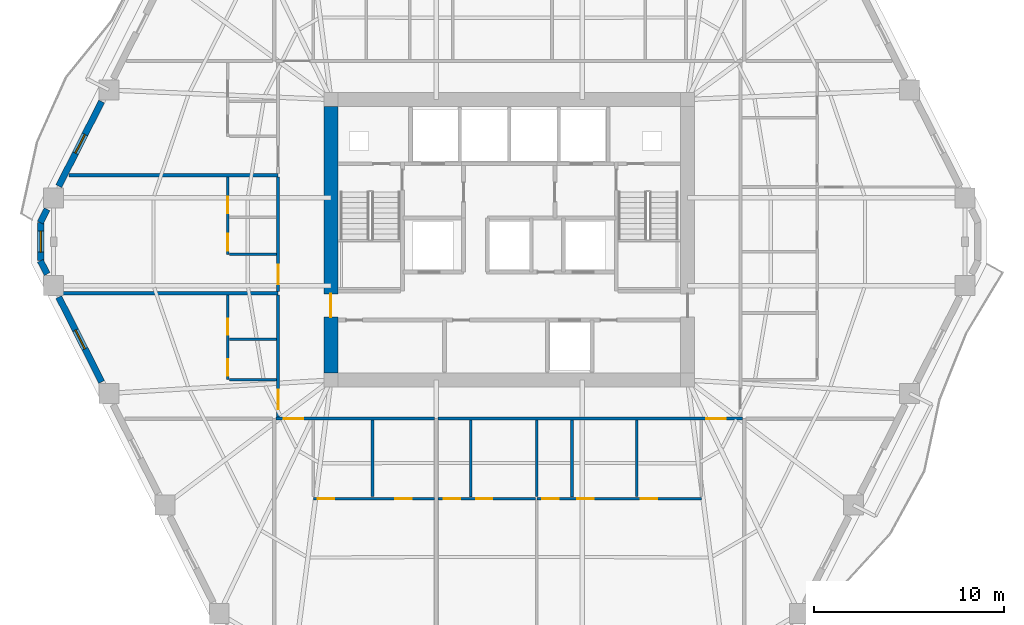
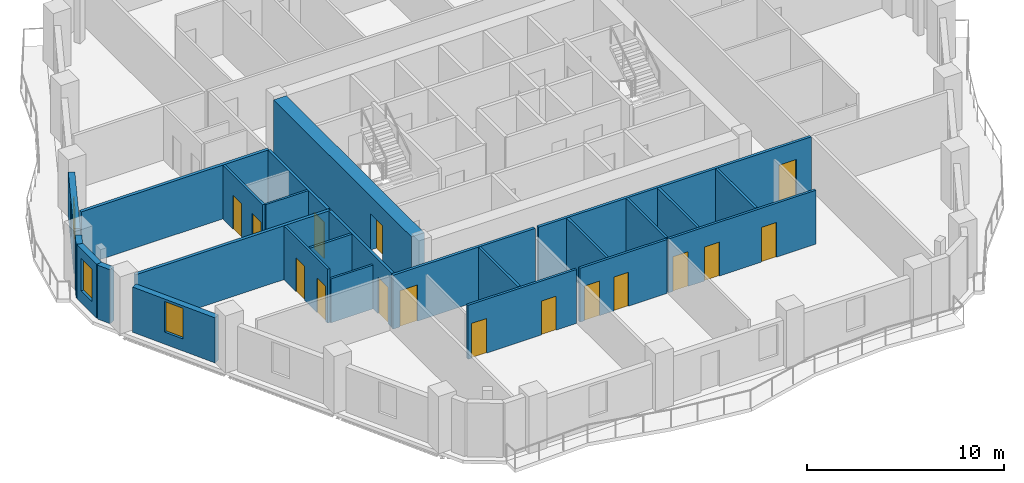
# One storey, part 4 of 10: 25 walls, 16 doors, 3 windows, 19 openings.
"""IFC4 building model written with IfcOpenShell, lengths in metres."""

from ifc_helpers import new_model, si_unit, direction, frame, frame_2d, origin, place, context, subcontext, project, spatial, rectangle, extrude, material, layer, layer_set, type_object, element, fill, save


model = new_model("IFC4")

# Units and contexts
model_context = context("Model", 3, precision=1e-05, world=origin(), true_north=direction((0.0, 1.0)))
body_context = subcontext(model_context, "Body", "Model", "MODEL_VIEW")
ifc_project = project(units=[si_unit("LENGTHUNIT", "METRE"), si_unit("AREAUNIT", "SQUARE_METRE"), si_unit("VOLUMEUNIT", "CUBIC_METRE"), si_unit("PLANEANGLEUNIT", "RADIAN"), si_unit("MASSUNIT", "GRAM", prefix="KILO")], contexts=[model_context])

# Site, building, storey
site_placement = place(None, origin())
site = spatial("IfcSite", under=ifc_project, at=site_placement, CompositionType="ELEMENT")
building_placement = place(site_placement, origin())
building = spatial("IfcBuilding", under=site, at=building_placement, Name="Cinnabar Lancet Tower", CompositionType="ELEMENT")
storey_placement = place(building_placement, frame((0.0, 0.0, 116.14990234375)))
storey = spatial("IfcBuildingStorey", under=building, at=storey_placement, Name="L30", CompositionType="ELEMENT", Elevation=116.14990234375)

# Wall, opening, door
ifc_material_1 = material(Name="Acoustic twin-stud gypsum partition", Category="gypsum")
ifc_layer_1 = layer(ifc_material_1, 0.159912109375)
ifc_layer_set_1 = layer_set([ifc_layer_1], Name="Acoustic twin-stud gypsum partition")
wall_type_1 = type_object("IfcWallType", Name="ARC-WL-CORR-160", PredefinedType="PARTITIONING", material=ifc_layer_set_1)
wall_1_placement = place(storey_placement, frame((20.14501953125, 16.5, 0.0), z_axis=(0.0, 0.0, 1.0), x_axis=(1.0, 0.0, 0.0)))
wall_1 = element("IfcWall", 1, at=wall_1_placement, inside=storey, type_object=wall_type_1, Name="L30 Unit S01 Corridor Wall", PredefinedType="PARTITIONING", context=body_context, shape_type="SweptSolid", body=[
    extrude(rectangle(XDim=8.327880859375, YDim=0.159912109375, at=frame_2d((4.1640625, 0.0))), origin(), (0.0, 0.0, 1.0), 3.340087890625),
])
opening_1_placement = place(wall_1_placement, frame((0.405029296875, 0.0, 0.0)))
opening_1 = element("IfcOpeningElement", 2, at=opening_1_placement, cuts=wall_1, Name="Opening UD-01", PredefinedType="OPENING", context=body_context, shape_type="SweptSolid", body=[
    extrude(rectangle(XDim=1.02001953125, YDim=2.25, at=frame_2d((0.510009765625, 1.125))), frame((0.0, 0.08984375, 0.0), z_axis=(0.0, -1.0, 0.0), x_axis=(1.0, 0.0, 0.0)), (0.0, 0.0, 1.0), 0.179931640625),
])
ifc_material_2 = material(Name="Solid timber fire-rated apartment entrance door", Category="wood")
door_type_1 = type_object("IfcDoorType", Name="ARC-DR-UNIT", OperationType="NOTDEFINED", PredefinedType="DOOR", material=ifc_material_2)
door_1_placement = place(opening_1_placement, origin())
door_1 = element("IfcDoor", 3, at=door_1_placement, inside=storey, type_object=door_type_1, Name="DR-L30-S01-ENT", OperationType="SINGLE_SWING_RIGHT", OverallHeight=2.25, OverallWidth=1.02001953125, PredefinedType="DOOR", context=body_context, shape_type="SweptSolid", body=[
    extrude(rectangle(XDim=1.02001953125, YDim=2.25, at=frame_2d((0.510009765625, 1.125))), frame((0.0, 0.02490234375, 0.0), z_axis=(0.0, -1.0, 0.0), x_axis=(1.0, 0.0, 0.0)), (0.0, 0.0, 1.0), 0.050048828125),
])
fill(opening_1, door_1)

wall_2_placement = place(storey_placement, frame((28.6630859375, 16.5, 0.0), z_axis=(0.0, 0.0, 1.0), x_axis=(1.0, 0.0, 0.0)))
wall_2 = element("IfcWall", 4, at=wall_2_placement, inside=storey, type_object=wall_type_1, Name="L30 Unit S02 Corridor Wall", PredefinedType="PARTITIONING", context=body_context, shape_type="SweptSolid", body=[
    extrude(rectangle(XDim=15.991943359375, YDim=0.159912109375, at=frame_2d((7.99609375, 0.0))), origin(), (0.0, 0.0, 1.0), 3.340087890625),
])
opening_2_placement = place(wall_2_placement, frame((14.0869140625, 0.0, 0.0)))
opening_2 = element("IfcOpeningElement", 5, at=opening_2_placement, cuts=wall_2, Name="Opening UD-01", PredefinedType="OPENING", context=body_context, shape_type="SweptSolid", body=[
    extrude(rectangle(XDim=1.02001953125, YDim=2.25, at=frame_2d((0.510009765625, 1.125))), frame((0.0, 0.08984375, 0.0), z_axis=(0.0, -1.0, 0.0), x_axis=(1.0, 0.0, 0.0)), (0.0, 0.0, 1.0), 0.179931640625),
])
door_2_placement = place(opening_2_placement, origin())
door_2 = element("IfcDoor", 6, at=door_2_placement, inside=storey, type_object=door_type_1, Name="DR-L30-S02-ENT", OperationType="SINGLE_SWING_LEFT", OverallHeight=2.25, OverallWidth=1.02001953125, PredefinedType="DOOR", context=body_context, shape_type="SweptSolid", body=[
    extrude(rectangle(XDim=1.02001953125, YDim=2.25, at=frame_2d((0.510009765625, 1.125))), frame((0.0, 0.02490234375, 0.0), z_axis=(0.0, -1.0, 0.0), x_axis=(1.0, 0.0, 0.0)), (0.0, 0.0, 1.0), 0.050048828125),
])
fill(opening_2, door_2)

wall_3_placement = place(storey_placement, frame((20.25, 16.594970703125, 0.0), z_axis=(0.0, 0.0, 1.0), x_axis=(0.0, 1.0, 0.0)))
wall_3 = element("IfcWall", 7, at=wall_3_placement, inside=storey, type_object=wall_type_1, Name="UW-L30-W01-COR", PredefinedType="PARTITIONING", context=body_context, shape_type="SweptSolid", body=[
    extrude(rectangle(XDim=6.39013671875, YDim=0.159912109375, at=frame_2d((3.195068359375, 0.0))), origin(), (0.0, 0.0, 1.0), 3.340087890625),
])
opening_3_placement = place(wall_3_placement, frame((0.39990234375, 0.0, 0.0)))
opening_3 = element("IfcOpeningElement", 8, at=opening_3_placement, cuts=wall_3, Name="Opening UD-01", PredefinedType="OPENING", context=body_context, shape_type="SweptSolid", body=[
    extrude(rectangle(XDim=1.02001953125, YDim=2.25, at=frame_2d((0.510009765625, 1.125))), frame((0.0, 0.08984375, 0.0), z_axis=(0.0, -1.0, 0.0), x_axis=(1.0, 0.0, 0.0)), (0.0, 0.0, 1.0), 0.179931640625),
])
door_3_placement = place(opening_3_placement, origin())
door_3 = element("IfcDoor", 9, at=door_3_placement, inside=storey, type_object=door_type_1, Name="DR-L30-W01-ENT", OperationType="SINGLE_SWING_RIGHT", OverallHeight=2.25, OverallWidth=1.02001953125, PredefinedType="DOOR", context=body_context, shape_type="SweptSolid", body=[
    extrude(rectangle(XDim=1.02001953125, YDim=2.25, at=frame_2d((0.510009765625, 1.125))), frame((0.0, 0.02490234375, 0.0), z_axis=(0.0, -1.0, 0.0), x_axis=(1.0, 0.0, 0.0)), (0.0, 0.0, 1.0), 0.050048828125),
])
fill(opening_3, door_3)

wall_4_placement = place(storey_placement, frame((20.25, 23.175048828125, 0.0), z_axis=(0.0, 0.0, 1.0), x_axis=(0.0, 1.0, 0.0)))
wall_4 = element("IfcWall", 10, at=wall_4_placement, inside=storey, type_object=wall_type_1, Name="UW-L30-W02-COR", PredefinedType="PARTITIONING", context=body_context, shape_type="SweptSolid", body=[
    extrude(rectangle(XDim=6.013916015625, YDim=0.159912109375, at=frame_2d((3.0068359375, 0.0))), origin(), (0.0, 0.0, 1.0), 3.340087890625),
])
opening_4_placement = place(wall_4_placement, frame((0.39990234375, 0.0, 0.0)))
opening_4 = element("IfcOpeningElement", 11, at=opening_4_placement, cuts=wall_4, Name="Opening UD-01", PredefinedType="OPENING", context=body_context, shape_type="SweptSolid", body=[
    extrude(rectangle(XDim=1.02001953125, YDim=2.25, at=frame_2d((0.510009765625, 1.125))), frame((0.0, 0.08984375, 0.0), z_axis=(0.0, -1.0, 0.0), x_axis=(1.0, 0.0, 0.0)), (0.0, 0.0, 1.0), 0.179931640625),
])
door_4_placement = place(opening_4_placement, origin())
door_4 = element("IfcDoor", 12, at=door_4_placement, inside=storey, type_object=door_type_1, Name="DR-L30-W02-ENT", OperationType="SINGLE_SWING_LEFT", OverallHeight=2.25, OverallWidth=1.02001953125, PredefinedType="DOOR", context=body_context, shape_type="SweptSolid", body=[
    extrude(rectangle(XDim=1.02001953125, YDim=2.25, at=frame_2d((0.510009765625, 1.125))), frame((0.0, 0.02490234375, 0.0), z_axis=(0.0, -1.0, 0.0), x_axis=(1.0, 0.0, 0.0)), (0.0, 0.0, 1.0), 0.050048828125),
])
fill(opening_4, door_4)

# Walls
ifc_material_3 = material(Name="Fire-rated twin-frame acoustic drywall", Category="gypsum")
ifc_layer_2 = layer(ifc_material_3, 0.179931640625)
ifc_layer_set_2 = layer_set([ifc_layer_2], Name="Fire-rated twin-frame acoustic drywall")
wall_type_2 = type_object("IfcWallType", Name="ARC-WL-PARTY-180", PredefinedType="PARTITIONING", material=ifc_layer_set_2)
wall_5_placement = place(storey_placement, frame((8.85595703125, 23.080078125, 0.0), z_axis=(0.0, 0.0, 1.0), x_axis=(1.0, 0.0, 0.0)))
element("IfcWall", 13, at=wall_5_placement, inside=storey, type_object=wall_type_2, Name="PW-L30-WPTY-1", PredefinedType="PARTITIONING", context=body_context, shape_type="SweptSolid", body=[
    extrude(rectangle(XDim=11.39404296875, YDim=0.179931640625, at=frame_2d((5.697021484375, 0.0))), origin(), (0.0, 0.0, 1.0), 3.340087890625),
])
wall_6_placement = place(storey_placement, frame((9.241943359375, 29.283935546875, 0.0), z_axis=(0.0, 0.0, 1.0), x_axis=(1.0, 0.0, 0.0)))
element("IfcWall", 14, at=wall_6_placement, inside=storey, type_object=wall_type_2, Name="PW-L30-WPTY-2", PredefinedType="PARTITIONING", context=body_context, shape_type="SweptSolid", body=[
    extrude(rectangle(XDim=11.008056640625, YDim=0.179931640625, at=frame_2d((5.50390625, 0.0))), origin(), (0.0, 0.0, 1.0), 3.340087890625),
])
ifc_material_4 = material(Name="Gypsum plasterboard stud partition", Category="gypsum")
ifc_layer_3 = layer(ifc_material_4, 0.125)
ifc_layer_set_3 = layer_set([ifc_layer_3], Name="Gypsum plasterboard stud partition")
wall_type_3 = type_object("IfcWallType", Name="ARC-WL-UNIT-125", PredefinedType="PARTITIONING", material=ifc_layer_set_3)
wall_7_placement = place(storey_placement, frame((17.68505859375, 18.550048828125, 0.0), z_axis=(0.0, 0.0, 1.0), x_axis=(1.0, 0.0, 0.0)))
element("IfcWall", 15, at=wall_7_placement, inside=storey, type_object=wall_type_3, Name="UW-L30-W01-FOYN", PredefinedType="PARTITIONING", context=body_context, shape_type="SweptSolid", body=[
    extrude(rectangle(XDim=2.47998046875, YDim=0.125, at=frame_2d((1.239990234375, 0.0))), origin(), (0.0, 0.0, 1.0), 2.72216796875),
])
wall_8_placement = place(storey_placement, frame((17.68505859375, 25.1298828125, 0.0), z_axis=(0.0, 0.0, 1.0), x_axis=(1.0, 0.0, 0.0)))
element("IfcWall", 16, at=wall_8_placement, inside=storey, type_object=wall_type_3, Name="UW-L30-W02-FOYN", PredefinedType="PARTITIONING", context=body_context, shape_type="SweptSolid", body=[
    extrude(rectangle(XDim=2.47998046875, YDim=0.125, at=frame_2d((1.239990234375, 0.0))), origin(), (0.0, 0.0, 1.0), 3.340087890625),
])

# Wall, openings, doors
ifc_material_5 = material(Name="Moisture-resistant cement-board plumbing wall", Category="masonry")
ifc_layer_4 = layer(ifc_material_5, 0.139892578125)
ifc_layer_set_4 = layer_set([ifc_layer_4], Name="Moisture-resistant cement-board plumbing wall")
wall_type_4 = type_object("IfcWallType", Name="ARC-WL-WET-140", PredefinedType="PLUMBINGWALL", material=ifc_layer_set_4)
wall_9_placement = place(storey_placement, frame((22.10009765625, 12.285888671875, 0.0), z_axis=(0.0, 0.0, 1.0), x_axis=(1.0, 0.0, 0.0)))
wall_9 = element("IfcWall", 17, at=wall_9_placement, inside=storey, type_object=wall_type_4, Name="UW-L30-S01-SPL", PredefinedType="PLUMBINGWALL", context=body_context, shape_type="SweptSolid", body=[
    extrude(rectangle(XDim=6.372802734375, YDim=0.139892578125, at=frame_2d((3.1865234375, 0.0))), origin(), (0.0, 0.0, 1.0), 3.340087890625),
])
opening_5_placement = place(wall_9_placement, frame((4.31396484375, 0.0, 0.0)))
opening_5 = element("IfcOpeningElement", 18, at=opening_5_placement, cuts=wall_9, Name="Opening BD-01", PredefinedType="OPENING", context=body_context, shape_type="SweptSolid", body=[
    extrude(rectangle(XDim=0.860107421875, YDim=2.10009765625, at=frame_2d((0.43017578125, 1.050048828125))), frame((0.0, 0.079833984375, 0.0), z_axis=(0.0, -1.0, 0.0), x_axis=(1.0, 0.0, 0.0)), (0.0, 0.0, 1.0), 0.159912109375),
])
opening_6_placement = place(wall_9_placement, frame((0.219970703125, 0.0, 0.0)))
opening_6 = element("IfcOpeningElement", 19, at=opening_6_placement, cuts=wall_9, Name="Opening RD-02", PredefinedType="OPENING", context=body_context, shape_type="SweptSolid", body=[
    extrude(rectangle(XDim=0.8798828125, YDim=2.14990234375, at=frame_2d((0.43994140625, 1.074951171875))), frame((0.0, 0.079833984375, 0.0), z_axis=(0.0, -1.0, 0.0), x_axis=(1.0, 0.0, 0.0)), (0.0, 0.0, 1.0), 0.159912109375),
])
ifc_material_6 = material(Name="Moisture-resistant timber bathroom door", Category="wood")
door_type_2 = type_object("IfcDoorType", Name="ARC-DR-BATH", OperationType="NOTDEFINED", PredefinedType="DOOR", material=ifc_material_6)
door_5_placement = place(opening_5_placement, origin())
door_5 = element("IfcDoor", 20, at=door_5_placement, inside=storey, type_object=door_type_2, Name="DR-L30-S01-BTH", OperationType="SINGLE_SWING_RIGHT", OverallHeight=2.10009765625, OverallWidth=0.860107421875, PredefinedType="DOOR", context=body_context, shape_type="SweptSolid", body=[
    extrude(rectangle(XDim=0.860107421875, YDim=2.10009765625, at=frame_2d((0.43017578125, 1.050048828125))), frame((0.0, 0.02490234375, 0.0), z_axis=(0.0, -1.0, 0.0), x_axis=(1.0, 0.0, 0.0)), (0.0, 0.0, 1.0), 0.050048828125),
])
fill(opening_5, door_5)
ifc_material_7 = material(Name="Engineered timber study door", Category="wood")
door_type_3 = type_object("IfcDoorType", Name="ARC-DR-STUDY", OperationType="NOTDEFINED", PredefinedType="DOOR", material=ifc_material_7)
door_6_placement = place(opening_6_placement, origin())
door_6 = element("IfcDoor", 21, at=door_6_placement, inside=storey, type_object=door_type_3, Name="DR-L30-S01-KIT", OperationType="SINGLE_SWING_LEFT", OverallHeight=2.14990234375, OverallWidth=0.8798828125, PredefinedType="DOOR", context=body_context, shape_type="SweptSolid", body=[
    extrude(rectangle(XDim=0.8798828125, YDim=2.14990234375, at=frame_2d((0.43994140625, 1.074951171875))), frame((0.0, 0.02490234375, 0.0), z_axis=(0.0, -1.0, 0.0), x_axis=(1.0, 0.0, 0.0)), (0.0, 0.0, 1.0), 0.050048828125),
])
fill(opening_6, door_6)

# Wall
wall_10_placement = place(storey_placement, frame((25.205078125, 12.39111328125, 0.0), z_axis=(0.0, 0.0, 1.0), x_axis=(0.0, 1.0, 0.0)))
element("IfcWall", 22, at=wall_10_placement, inside=storey, type_object=wall_type_4, Name="UW-L30-S01-KDV", PredefinedType="PLUMBINGWALL", context=body_context, shape_type="SweptSolid", body=[
    extrude(rectangle(XDim=4.02392578125, YDim=0.139892578125, at=frame_2d((2.011962890625, 0.0))), origin(), (0.0, 0.0, 1.0), 3.340087890625),
])

# Wall, openings, doors
wall_11_placement = place(storey_placement, frame((33.85009765625, 12.285888671875, 0.0), z_axis=(0.0, 0.0, 1.0), x_axis=(1.0, 0.0, 0.0)))
wall_11 = element("IfcWall", 23, at=wall_11_placement, inside=storey, type_object=wall_type_4, Name="UW-L30-S02-SPL", PredefinedType="PLUMBINGWALL", context=body_context, shape_type="SweptSolid", body=[
    extrude(rectangle(XDim=8.64990234375, YDim=0.139892578125, at=frame_2d((4.324951171875, 0.0))), origin(), (0.0, 0.0, 1.0), 3.340087890625),
])
opening_7_placement = place(wall_11_placement, frame((0.280029296875, 0.0, 0.0)))
opening_7 = element("IfcOpeningElement", 24, at=opening_7_placement, cuts=wall_11, Name="Opening RD-02", PredefinedType="OPENING", context=body_context, shape_type="SweptSolid", body=[
    extrude(rectangle(XDim=0.8798828125, YDim=2.14990234375, at=frame_2d((0.43994140625, 1.074951171875))), frame((0.0, 0.079833984375, 0.0), z_axis=(0.0, -1.0, 0.0), x_axis=(1.0, 0.0, 0.0)), (0.0, 0.0, 1.0), 0.159912109375),
])
opening_8_placement = place(wall_11_placement, frame((2.1259765625, 0.0, 0.0)))
opening_8 = element("IfcOpeningElement", 25, at=opening_8_placement, cuts=wall_11, Name="Opening BD-01", PredefinedType="OPENING", context=body_context, shape_type="SweptSolid", body=[
    extrude(rectangle(XDim=0.860107421875, YDim=2.10009765625, at=frame_2d((0.43017578125, 1.050048828125))), frame((0.0, 0.079833984375, 0.0), z_axis=(0.0, -1.0, 0.0), x_axis=(1.0, 0.0, 0.0)), (0.0, 0.0, 1.0), 0.159912109375),
])
opening_9_placement = place(wall_11_placement, frame((5.449951171875, 0.0, 0.0)))
opening_9 = element("IfcOpeningElement", 26, at=opening_9_placement, cuts=wall_11, Name="Opening RD-02", PredefinedType="OPENING", context=body_context, shape_type="SweptSolid", body=[
    extrude(rectangle(XDim=0.8798828125, YDim=2.14990234375, at=frame_2d((0.43994140625, 1.074951171875))), frame((0.0, 0.079833984375, 0.0), z_axis=(0.0, -1.0, 0.0), x_axis=(1.0, 0.0, 0.0)), (0.0, 0.0, 1.0), 0.159912109375),
])
door_7_placement = place(opening_8_placement, origin())
door_7 = element("IfcDoor", 27, at=door_7_placement, inside=storey, type_object=door_type_2, Name="DR-L30-S02-BTH", OperationType="SINGLE_SWING_LEFT", OverallHeight=2.10009765625, OverallWidth=0.860107421875, PredefinedType="DOOR", context=body_context, shape_type="SweptSolid", body=[
    extrude(rectangle(XDim=0.860107421875, YDim=2.10009765625, at=frame_2d((0.43017578125, 1.050048828125))), frame((0.0, 0.02490234375, 0.0), z_axis=(0.0, -1.0, 0.0), x_axis=(1.0, 0.0, 0.0)), (0.0, 0.0, 1.0), 0.050048828125),
])
fill(opening_8, door_7)
door_8_placement = place(opening_7_placement, origin())
door_8 = element("IfcDoor", 28, at=door_8_placement, inside=storey, type_object=door_type_3, Name="DR-L30-S02-BTH-WDR", OperationType="SINGLE_SWING_RIGHT", OverallHeight=2.14990234375, OverallWidth=0.8798828125, PredefinedType="DOOR", context=body_context, shape_type="SweptSolid", body=[
    extrude(rectangle(XDim=0.8798828125, YDim=2.14990234375, at=frame_2d((0.43994140625, 1.074951171875))), frame((0.0, 0.02490234375, 0.0), z_axis=(0.0, -1.0, 0.0), x_axis=(1.0, 0.0, 0.0)), (0.0, 0.0, 1.0), 0.050048828125),
])
fill(opening_7, door_8)
door_9_placement = place(opening_9_placement, origin())
door_9 = element("IfcDoor", 29, at=door_9_placement, inside=storey, type_object=door_type_3, Name="DR-L30-S02-KIT", OperationType="SINGLE_SWING_LEFT", OverallHeight=2.14990234375, OverallWidth=0.8798828125, PredefinedType="DOOR", context=body_context, shape_type="SweptSolid", body=[
    extrude(rectangle(XDim=0.8798828125, YDim=2.14990234375, at=frame_2d((0.43994140625, 1.074951171875))), frame((0.0, 0.02490234375, 0.0), z_axis=(0.0, -1.0, 0.0), x_axis=(1.0, 0.0, 0.0)), (0.0, 0.0, 1.0), 0.050048828125),
])
fill(opening_9, door_9)

wall_12_placement = place(storey_placement, frame((28.6630859375, 12.285888671875, 0.0), z_axis=(0.0, 0.0, 1.0), x_axis=(1.0, 0.0, 0.0)))
wall_12 = element("IfcWall", 30, at=wall_12_placement, inside=storey, type_object=wall_type_4, Name="UW-L30-S02-SPM", PredefinedType="PLUMBINGWALL", context=body_context, shape_type="SweptSolid", body=[
    extrude(rectangle(XDim=5.11181640625, YDim=0.139892578125, at=frame_2d((2.555908203125, 0.0))), origin(), (0.0, 0.0, 1.0), 3.340087890625),
])
opening_10_placement = place(wall_12_placement, frame((0.280029296875, 0.0, 0.0)))
opening_10 = element("IfcOpeningElement", 31, at=opening_10_placement, cuts=wall_12, Name="Opening RD-02", PredefinedType="OPENING", context=body_context, shape_type="SweptSolid", body=[
    extrude(rectangle(XDim=0.8798828125, YDim=2.14990234375, at=frame_2d((0.43994140625, 1.074951171875))), frame((0.0, 0.079833984375, 0.0), z_axis=(0.0, -1.0, 0.0), x_axis=(1.0, 0.0, 0.0)), (0.0, 0.0, 1.0), 0.159912109375),
])
opening_11_placement = place(wall_12_placement, frame((1.988037109375, 0.0, 0.0)))
opening_11 = element("IfcOpeningElement", 32, at=opening_11_placement, cuts=wall_12, Name="Opening BD-01", PredefinedType="OPENING", context=body_context, shape_type="SweptSolid", body=[
    extrude(rectangle(XDim=0.860107421875, YDim=2.10009765625, at=frame_2d((0.43017578125, 1.050048828125))), frame((0.0, 0.079833984375, 0.0), z_axis=(0.0, -1.0, 0.0), x_axis=(1.0, 0.0, 0.0)), (0.0, 0.0, 1.0), 0.159912109375),
])
door_10_placement = place(opening_11_placement, origin())
door_10 = element("IfcDoor", 33, at=door_10_placement, inside=storey, type_object=door_type_2, Name="DR-L30-S02-ENS", OperationType="SINGLE_SWING_RIGHT", OverallHeight=2.10009765625, OverallWidth=0.860107421875, PredefinedType="DOOR", context=body_context, shape_type="SweptSolid", body=[
    extrude(rectangle(XDim=0.860107421875, YDim=2.10009765625, at=frame_2d((0.43017578125, 1.050048828125))), frame((0.0, 0.02490234375, 0.0), z_axis=(0.0, -1.0, 0.0), x_axis=(1.0, 0.0, 0.0)), (0.0, 0.0, 1.0), 0.050048828125),
])
fill(opening_11, door_10)
door_11_placement = place(opening_10_placement, origin())
door_11 = element("IfcDoor", 34, at=door_11_placement, inside=storey, type_object=door_type_3, Name="DR-L30-S02-ENS-WDR", OperationType="SINGLE_SWING_LEFT", OverallHeight=2.14990234375, OverallWidth=0.8798828125, PredefinedType="DOOR", context=body_context, shape_type="SweptSolid", body=[
    extrude(rectangle(XDim=0.8798828125, YDim=2.14990234375, at=frame_2d((0.43994140625, 1.074951171875))), frame((0.0, 0.02490234375, 0.0), z_axis=(0.0, -1.0, 0.0), x_axis=(1.0, 0.0, 0.0)), (0.0, 0.0, 1.0), 0.050048828125),
])
fill(opening_10, door_11)

# Walls
for number, where, z_axis, x_axis, name in (
    (35, (39.10009765625, 12.39111328125, 0.0), (0.0, 0.0, 1.0), (0.0, 1.0, 0.0), "UW-L30-S02-KBD"),
    (36, (33.85009765625, 12.39111328125, 0.0), (0.0, 0.0, 1.0), (0.0, 1.0, 0.0), "UW-L30-S02-ENSW"),
):
    element("IfcWall", number, at=place(storey_placement, frame(where, z_axis=z_axis, x_axis=x_axis)), inside=storey, type_object=wall_type_4, Name=name, PredefinedType="PLUMBINGWALL", context=body_context, shape_type="SweptSolid", body=[
        extrude(rectangle(XDim=4.02392578125, YDim=0.139892578125, at=frame_2d((2.011962890625, 0.0))), origin(), (0.0, 0.0, 1.0), 3.340087890625),
    ])
for number, where, z_axis, x_axis, name in (
    (37, (35.696044921875, 12.37109375, 0.0), (0.0, 0.0, 1.0), (0.0, 1.0, 0.0), "UW-L30-S02-BTH-WDV"),
    (38, (30.37109375, 12.37109375, 0.0), (0.0, 0.0, 1.0), (0.0, 1.0, 0.0), "UW-L30-S02-ENS-WDV"),
):
    element("IfcWall", number, at=place(storey_placement, frame(where, z_axis=z_axis, x_axis=x_axis)), inside=storey, type_object=wall_type_4, Name=name, PredefinedType="PLUMBINGWALL", context=body_context, shape_type="SweptSolid", body=[
        extrude(rectangle(XDim=4.0439453125, YDim=0.139892578125, at=frame_2d((2.02197265625, 0.0))), origin(), (0.0, 0.0, 1.0), 3.340087890625),
    ])

# Wall, openings, doors
wall_13_placement = place(storey_placement, frame((17.60009765625, 18.550048828125, 0.0), z_axis=(0.0, 0.0, 1.0), x_axis=(0.0, 1.0, 0.0)))
wall_13 = element("IfcWall", 39, at=wall_13_placement, inside=storey, type_object=wall_type_4, Name="UW-L30-W01-SPL", PredefinedType="PLUMBINGWALL", context=body_context, shape_type="SweptSolid", body=[
    extrude(rectangle(XDim=4.43505859375, YDim=0.139892578125, at=frame_2d((2.217529296875, 0.0))), origin(), (0.0, 0.0, 1.0), 3.340087890625),
])
opening_12_placement = place(wall_13_placement, frame((2.34912109375, 0.0, 0.0)))
opening_12 = element("IfcOpeningElement", 40, at=opening_12_placement, cuts=wall_13, Name="Opening BD-01", PredefinedType="OPENING", context=body_context, shape_type="SweptSolid", body=[
    extrude(rectangle(XDim=0.860107421875, YDim=2.10009765625, at=frame_2d((0.43017578125, 1.050048828125))), frame((0.0, 0.079833984375, 0.0), z_axis=(0.0, -1.0, 0.0), x_axis=(1.0, 0.0, 0.0)), (0.0, 0.0, 1.0), 0.159912109375),
])
opening_13_placement = place(wall_13_placement, frame((0.199951171875, 0.0, 0.0)))
opening_13 = element("IfcOpeningElement", 41, at=opening_13_placement, cuts=wall_13, Name="Opening RD-02", PredefinedType="OPENING", context=body_context, shape_type="SweptSolid", body=[
    extrude(rectangle(XDim=0.8798828125, YDim=2.14990234375, at=frame_2d((0.43994140625, 1.074951171875))), frame((0.0, 0.079833984375, 0.0), z_axis=(0.0, -1.0, 0.0), x_axis=(1.0, 0.0, 0.0)), (0.0, 0.0, 1.0), 0.159912109375),
])
door_12_placement = place(opening_12_placement, origin())
door_12 = element("IfcDoor", 42, at=door_12_placement, inside=storey, type_object=door_type_2, Name="DR-L30-W01-BTH", OperationType="SINGLE_SWING_RIGHT", OverallHeight=2.10009765625, OverallWidth=0.860107421875, PredefinedType="DOOR", context=body_context, shape_type="SweptSolid", body=[
    extrude(rectangle(XDim=0.860107421875, YDim=2.10009765625, at=frame_2d((0.43017578125, 1.050048828125))), frame((0.0, 0.02490234375, 0.0), z_axis=(0.0, -1.0, 0.0), x_axis=(1.0, 0.0, 0.0)), (0.0, 0.0, 1.0), 0.050048828125),
])
fill(opening_12, door_12)
door_13_placement = place(opening_13_placement, origin())
door_13 = element("IfcDoor", 43, at=door_13_placement, inside=storey, type_object=door_type_3, Name="DR-L30-W01-KIT", OperationType="SINGLE_SWING_LEFT", OverallHeight=2.14990234375, OverallWidth=0.8798828125, PredefinedType="DOOR", context=body_context, shape_type="SweptSolid", body=[
    extrude(rectangle(XDim=0.8798828125, YDim=2.14990234375, at=frame_2d((0.43994140625, 1.074951171875))), frame((0.0, 0.02490234375, 0.0), z_axis=(0.0, -1.0, 0.0), x_axis=(1.0, 0.0, 0.0)), (0.0, 0.0, 1.0), 0.050048828125),
])
fill(opening_13, door_13)

# Wall
wall_14_placement = place(storey_placement, frame((17.68505859375, 20.678955078125, 0.0), z_axis=(0.0, 0.0, 1.0), x_axis=(1.0, 0.0, 0.0)))
element("IfcWall", 44, at=wall_14_placement, inside=storey, type_object=wall_type_4, Name="UW-L30-W01-KDV", PredefinedType="PLUMBINGWALL", context=body_context, shape_type="SweptSolid", body=[
    extrude(rectangle(XDim=2.47998046875, YDim=0.139892578125, at=frame_2d((1.239990234375, 0.0))), origin(), (0.0, 0.0, 1.0), 3.340087890625),
])

# Wall, openings, doors
wall_15_placement = place(storey_placement, frame((17.60009765625, 25.1298828125, 0.0), z_axis=(0.0, 0.0, 1.0), x_axis=(0.0, 1.0, 0.0)))
wall_15 = element("IfcWall", 45, at=wall_15_placement, inside=storey, type_object=wall_type_4, Name="UW-L30-W02-SPL", PredefinedType="PLUMBINGWALL", context=body_context, shape_type="SweptSolid", body=[
    extrude(rectangle(XDim=4.05908203125, YDim=0.139892578125, at=frame_2d((2.029541015625, 0.0))), origin(), (0.0, 0.0, 1.0), 3.340087890625),
])
opening_14_placement = place(wall_15_placement, frame((2.16796875, 0.0, 0.0)))
opening_14 = element("IfcOpeningElement", 46, at=opening_14_placement, cuts=wall_15, Name="Opening BD-01", PredefinedType="OPENING", context=body_context, shape_type="SweptSolid", body=[
    extrude(rectangle(XDim=0.860107421875, YDim=2.10009765625, at=frame_2d((0.43017578125, 1.050048828125))), frame((0.0, 0.079833984375, 0.0), z_axis=(0.0, -1.0, 0.0), x_axis=(1.0, 0.0, 0.0)), (0.0, 0.0, 1.0), 0.159912109375),
])
opening_15_placement = place(wall_15_placement, frame((0.199951171875, 0.0, 0.0)))
opening_15 = element("IfcOpeningElement", 47, at=opening_15_placement, cuts=wall_15, Name="Opening RD-02", PredefinedType="OPENING", context=body_context, shape_type="SweptSolid", body=[
    extrude(rectangle(XDim=0.8798828125, YDim=2.14990234375, at=frame_2d((0.43994140625, 1.074951171875))), frame((0.0, 0.079833984375, 0.0), z_axis=(0.0, -1.0, 0.0), x_axis=(1.0, 0.0, 0.0)), (0.0, 0.0, 1.0), 0.159912109375),
])
door_14_placement = place(opening_14_placement, origin())
door_14 = element("IfcDoor", 48, at=door_14_placement, inside=storey, type_object=door_type_2, Name="DR-L30-W02-BTH", OperationType="SINGLE_SWING_LEFT", OverallHeight=2.10009765625, OverallWidth=0.860107421875, PredefinedType="DOOR", context=body_context, shape_type="SweptSolid", body=[
    extrude(rectangle(XDim=0.860107421875, YDim=2.10009765625, at=frame_2d((0.43017578125, 1.050048828125))), frame((0.0, 0.02490234375, 0.0), z_axis=(0.0, -1.0, 0.0), x_axis=(1.0, 0.0, 0.0)), (0.0, 0.0, 1.0), 0.050048828125),
])
fill(opening_14, door_14)
door_15_placement = place(opening_15_placement, origin())
door_15 = element("IfcDoor", 49, at=door_15_placement, inside=storey, type_object=door_type_3, Name="DR-L30-W02-KIT", OperationType="SINGLE_SWING_RIGHT", OverallHeight=2.14990234375, OverallWidth=0.8798828125, PredefinedType="DOOR", context=body_context, shape_type="SweptSolid", body=[
    extrude(rectangle(XDim=0.8798828125, YDim=2.14990234375, at=frame_2d((0.43994140625, 1.074951171875))), frame((0.0, 0.02490234375, 0.0), z_axis=(0.0, -1.0, 0.0), x_axis=(1.0, 0.0, 0.0)), (0.0, 0.0, 1.0), 0.050048828125),
])
fill(opening_15, door_15)

# Wall, opening, window
ifc_material_8 = material(Name="Cinnabar red clay brick", Category="masonry")
ifc_layer_5 = layer(ifc_material_8, 0.340087890625)
ifc_layer_set_5 = layer_set([ifc_layer_5], Name="Cinnabar red clay brick")
wall_type_5 = type_object("IfcWallType", Name="ENV-WL-BRK-RED-340", PredefinedType="STANDARD", material=ifc_layer_set_5)
wall_16_placement = place(storey_placement, frame((7.76708984375, 26.797119140625, 0.0), z_axis=(0.0, 0.0, 1.0), x_axis=(0.0, -1.0, 0.0)))
wall_16 = element("IfcWall", 50, at=wall_16_placement, inside=storey, type_object=wall_type_5, Name="L30 Chamfered Corner Brick Pier 6.1", PredefinedType="STANDARD", context=body_context, shape_type="SweptSolid", body=[
    extrude(rectangle(XDim=1.994140625, YDim=0.340087890625, at=frame_2d((0.9970703125, 0.0))), origin(), (0.0, 0.0, 1.0), 3.340087890625),
])
opening_16_placement = place(wall_16_placement, frame((0.447021484375, 0.0, 0.75)))
opening_16 = element("IfcOpeningElement", 51, at=opening_16_placement, cuts=wall_16, Name="Opening WN-04", PredefinedType="OPENING", context=body_context, shape_type="SweptSolid", body=[
    extrude(rectangle(XDim=1.10009765625, YDim=2.0, at=frame_2d((0.550048828125, 1.0))), frame((0.0, 0.179931640625, 0.0), z_axis=(0.0, -1.0, 0.0), x_axis=(1.0, 0.0, 0.0)), (0.0, 0.0, 1.0), 0.360107421875),
])
ifc_material_9 = material(Name="Thermally broken bronze-anodized aluminium tall lancet window", Category="aluminium")
window_type = type_object("IfcWindowType", Name="ENV-WN-LANCET-1100", PartitioningType="SINGLE_PANEL", PredefinedType="WINDOW", material=ifc_material_9)
window_1_placement = place(opening_16_placement, origin())
window_1 = element("IfcWindow", 52, at=window_1_placement, inside=storey, type_object=window_type, Name="L30 Dwelling Gothic Lancet Window 320", OverallHeight=2.0, OverallWidth=1.10009765625, PartitioningType="SINGLE_PANEL", PredefinedType="WINDOW", context=body_context, shape_type="SweptSolid", body=[
    extrude(rectangle(XDim=1.10009765625, YDim=2.0, at=frame_2d((0.550048828125, 1.0))), frame((0.0, 0.030029296875, 0.0), z_axis=(0.0, -1.0, 0.0), x_axis=(1.0, 0.0, 0.0)), (0.0, 0.0, 1.0), 0.06005859375),
])
fill(opening_16, window_1)

wall_17_placement = place(storey_placement, frame((10.968017578125, 33.172119140625, 0.0), z_axis=(0.0, 0.0, 1.0), x_axis=(-0.451470533039, -0.892286029139, 0.0)))
wall_17 = element("IfcWall", 53, at=wall_17_placement, inside=storey, type_object=wall_type_5, Name="L30 Face 5 Masonry Bay Wall 4", PredefinedType="STANDARD", context=body_context, shape_type="SweptSolid", body=[
    extrude(rectangle(XDim=4.9951171875, YDim=0.340087890625, at=frame_2d((2.49755859375, 0.0))), origin(), (0.0, 0.0, 1.0), 2.797119140625),
])
opening_17_placement = place(wall_17_placement, frame((1.947021484375, 0.0, 0.75)))
opening_17 = element("IfcOpeningElement", 54, at=opening_17_placement, cuts=wall_17, Name="Opening WN-04", PredefinedType="OPENING", context=body_context, shape_type="SweptSolid", body=[
    extrude(rectangle(XDim=1.10009765625, YDim=1.89697265625, at=frame_2d((0.550048828125, 0.948486328125))), frame((0.0, 0.179931640625, 0.0), z_axis=(0.0, -1.0, 0.0), x_axis=(1.0, 0.0, 0.0)), (0.0, 0.0, 1.0), 0.360107421875),
])
window_2_placement = place(opening_17_placement, origin())
window_2 = element("IfcWindow", 55, at=window_2_placement, inside=storey, type_object=window_type, Name="L30 Face 5 Gothic Lancet Window 4", OverallHeight=1.89697265625, OverallWidth=1.10009765625, PartitioningType="SINGLE_PANEL", PredefinedType="WINDOW", context=body_context, shape_type="SweptSolid", body=[
    extrude(rectangle(XDim=1.10009765625, YDim=1.89697265625, at=frame_2d((0.550048828125, 0.948486328125))), frame((0.0, 0.030029296875, 0.0), z_axis=(0.0, -1.0, 0.0), x_axis=(1.0, 0.0, 0.0)), (0.0, 0.0, 1.0), 0.06005859375),
])
fill(opening_17, window_2)

# Walls
for number, where, z_axis, x_axis, name in (
    (56, (8.10009765625, 27.5029296875, 0.0), (0.0, 0.0, 1.0), (-0.451819324107, -0.89210946546, 0.0), "L30 Face 5 Masonry Bay Wall 5"),
    (57, (7.74609375, 24.7958984375, 0.0), (0.0, 0.0, 1.0), (0.451819324107, -0.89210946546, 0.0), "L30 Face 6 Masonry Bay Wall 1"),
):
    element("IfcWall", number, at=place(storey_placement, frame(where, z_axis=z_axis, x_axis=x_axis)), inside=storey, type_object=wall_type_5, Name=name, PredefinedType="STANDARD", context=body_context, shape_type="SweptSolid", body=[
        extrude(rectangle(XDim=0.783447265625, YDim=0.340087890625, at=frame_2d((0.3916015625, 0.0))), origin(), (0.0, 0.0, 1.0), 3.340087890625),
    ])

# Wall, opening, window
wall_18_placement = place(storey_placement, frame((8.712890625, 22.885009765625, 0.0), z_axis=(0.0, 0.0, 1.0), x_axis=(0.451470533039, -0.892286029139, 0.0)))
wall_18 = element("IfcWall", 58, at=wall_18_placement, inside=storey, type_object=wall_type_5, Name="L30 Face 6 Masonry Bay Wall 2", PredefinedType="STANDARD", context=body_context, shape_type="SweptSolid", body=[
    extrude(rectangle(XDim=4.9951171875, YDim=0.340087890625, at=frame_2d((2.49755859375, 0.0))), origin(), (0.0, 0.0, 1.0), 2.797119140625),
])
opening_18_placement = place(wall_18_placement, frame((1.947021484375, 0.0, 0.75)))
opening_18 = element("IfcOpeningElement", 59, at=opening_18_placement, cuts=wall_18, Name="Opening WN-04", PredefinedType="OPENING", context=body_context, shape_type="SweptSolid", body=[
    extrude(rectangle(XDim=1.10009765625, YDim=1.89697265625, at=frame_2d((0.550048828125, 0.948486328125))), frame((0.0, 0.179931640625, 0.0), z_axis=(0.0, -1.0, 0.0), x_axis=(1.0, 0.0, 0.0)), (0.0, 0.0, 1.0), 0.360107421875),
])
window_3_placement = place(opening_18_placement, origin())
window_3 = element("IfcWindow", 60, at=window_3_placement, inside=storey, type_object=window_type, Name="L30 Face 6 Gothic Lancet Window 2", OverallHeight=1.89697265625, OverallWidth=1.10009765625, PartitioningType="SINGLE_PANEL", PredefinedType="WINDOW", context=body_context, shape_type="SweptSolid", body=[
    extrude(rectangle(XDim=1.10009765625, YDim=1.89697265625, at=frame_2d((0.550048828125, 0.948486328125))), frame((0.0, 0.030029296875, 0.0), z_axis=(0.0, -1.0, 0.0), x_axis=(1.0, 0.0, 0.0)), (0.0, 0.0, 1.0), 0.06005859375),
])
fill(opening_18, window_3)

# Wall, opening, door
ifc_material_10 = material(Name="Concrete C70/85", Category="concrete")
ifc_layer_6 = layer(ifc_material_10, 0.75)
ifc_layer_set_6 = layer_set([ifc_layer_6], Name="Concrete C70/85")
wall_type_6 = type_object("IfcWallType", Name="STR-WL-CORE-750", PredefinedType="SHEAR", material=ifc_layer_set_6)
wall_19_placement = place(storey_placement, frame((23.02490234375, 18.89990234375, 0.0), z_axis=(0.0, 0.0, 1.0), x_axis=(0.0, 1.0, 0.0)))
wall_19 = element("IfcWall", 61, at=wall_19_placement, inside=storey, type_object=wall_type_6, Name="L30 Core Shear Wall W", PredefinedType="SHEAR", context=body_context, shape_type="SweptSolid", body=[
    extrude(rectangle(XDim=14.0, YDim=0.75, at=frame_2d((7.0, 0.0))), origin(), (0.0, 0.0, 1.0), 3.340087890625),
])
opening_19_placement = place(wall_19_placement, frame((2.93994140625, 0.0, 0.0)))
opening_19 = element("IfcOpeningElement", 62, at=opening_19_placement, cuts=wall_19, Name="Opening FD-02", PredefinedType="OPENING", context=body_context, shape_type="SweptSolid", body=[
    extrude(rectangle(XDim=1.219970703125, YDim=2.25, at=frame_2d((0.60986328125, 1.125))), frame((0.0, 0.385009765625, 0.0), z_axis=(0.0, -1.0, 0.0), x_axis=(1.0, 0.0, 0.0)), (0.0, 0.0, 1.0), 0.77001953125),
])
ifc_material_11 = material(Name="Fire-rated double-vision core portal door", Category="wood")
door_type_4 = type_object("IfcDoorType", Name="ARC-DR-CPORT", OperationType="NOTDEFINED", PredefinedType="DOOR", material=ifc_material_11)
door_16_placement = place(opening_19_placement, origin())
door_16 = element("IfcDoor", 63, at=door_16_placement, inside=storey, type_object=door_type_4, Name="L30 West Core Lobby Fire Door", OperationType="SINGLE_SWING_RIGHT", OverallHeight=2.25, OverallWidth=1.219970703125, PredefinedType="DOOR", context=body_context, shape_type="SweptSolid", body=[
    extrude(rectangle(XDim=1.219970703125, YDim=2.25, at=frame_2d((0.60986328125, 1.125))), frame((0.0, 0.02490234375, 0.0), z_axis=(0.0, -1.0, 0.0), x_axis=(1.0, 0.0, 0.0)), (0.0, 0.0, 1.0), 0.050048828125),
])
fill(opening_19, door_16)

save(model, "model.ifc")
